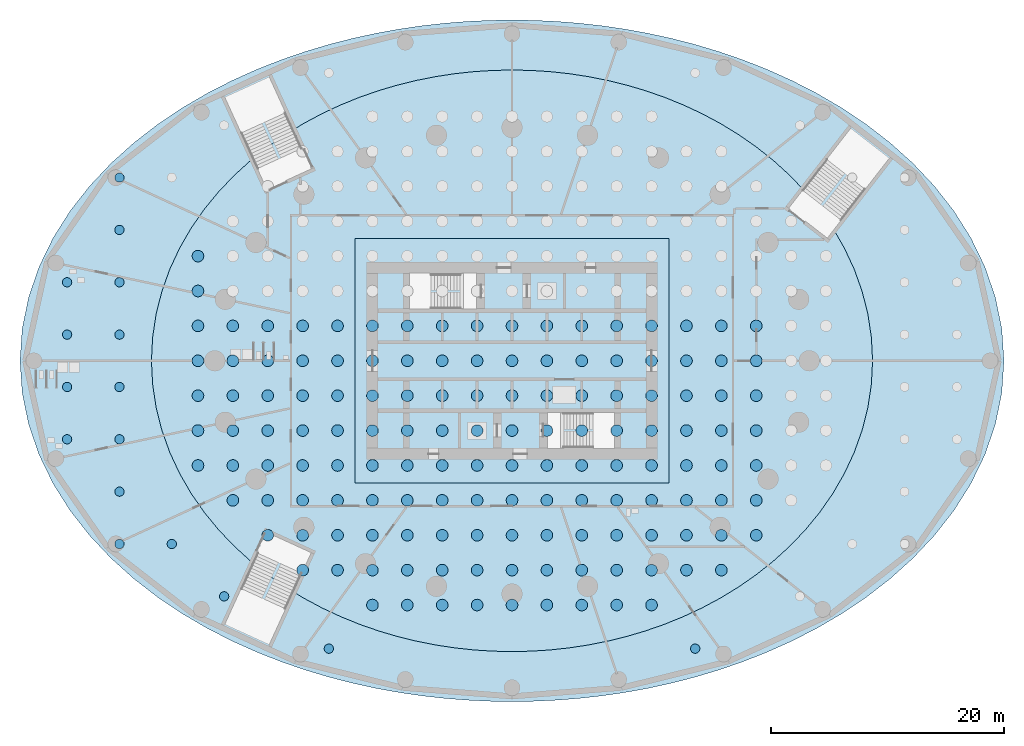
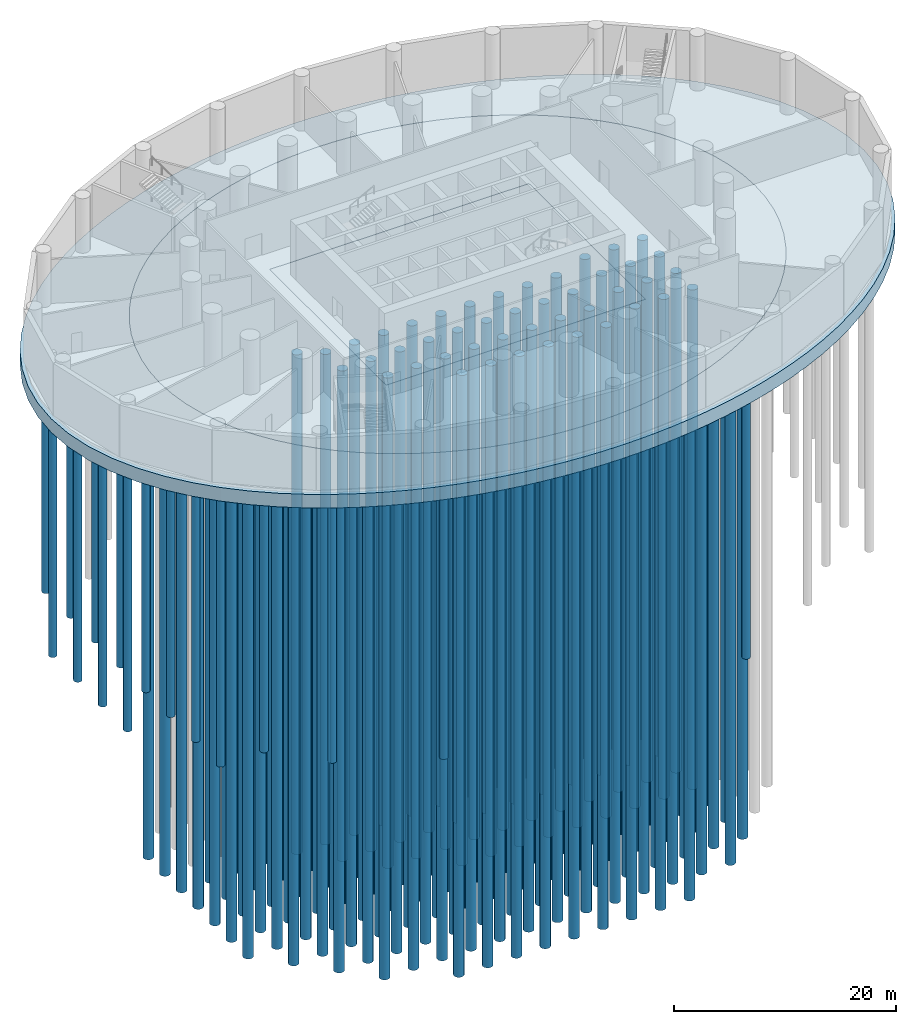
# One storey, part 1 of 12: 156 piles, 3 footings.
"""IFC4 building model written with IfcOpenShell, lengths in metres."""

from ifc_helpers import new_model, si_unit, direction, frame, origin, origin_2d, place, context, subcontext, project, spatial, polyline, circle, outline, extrude, material, layer, layer_set, material_profile, profile_set, type_object, element, save


model = new_model("IFC4")

# Units and contexts
model_context = context("Model", 3, precision=1e-05, world=origin(), true_north=direction((0.0, 1.0)))
body_context = subcontext(model_context, "Body", "Model", "MODEL_VIEW")
ifc_project = project(units=[si_unit("LENGTHUNIT", "METRE"), si_unit("AREAUNIT", "SQUARE_METRE"), si_unit("VOLUMEUNIT", "CUBIC_METRE"), si_unit("PLANEANGLEUNIT", "RADIAN"), si_unit("MASSUNIT", "GRAM", prefix="KILO")], contexts=[model_context])

# Site, building, storey
site_placement = place(None, origin())
site = spatial("IfcSite", under=ifc_project, at=site_placement, CompositionType="ELEMENT")
building_placement = place(site_placement, origin())
building = spatial("IfcBuilding", under=site, at=building_placement, Name="Hankou Lantern Tower", CompositionType="ELEMENT")
storey_placement = place(building_placement, frame((0.0, 0.0, -6.0)))
storey = spatial("IfcBuildingStorey", under=building, at=storey_placement, Name="B1", CompositionType="ELEMENT", Elevation=-6.0)

# Piles
ifc_material_1 = material(Name="Concrete C40", Category="concrete")
ifc_material_profile_1 = material_profile(ifc_material_1, circle(Radius=0.5, at=origin_2d()), Name="RC D1000")
ifc_profile_set_1 = profile_set([ifc_material_profile_1], Name="Concrete C40")
pile_type_1 = type_object("IfcPileType", Name="P1 BORED PILE D1000", PredefinedType="BORED", material=ifc_profile_set_1)
for number, where, z_axis, x_axis, name in (
    (1, (-12.0, -21.0, -4.300048828125), (0.0, 0.0, -1.0), (1.0, 0.0, 0.0), "Tower pile 1"),
    (2, (-9.0, -21.0, -4.300048828125), (0.0, 0.0, -1.0), (1.0, 0.0, 0.0), "Tower pile 2"),
    (3, (-6.0, -21.0, -4.300048828125), (0.0, 0.0, -1.0), (1.0, 0.0, 0.0), "Tower pile 3"),
    (4, (-3.0, -21.0, -4.300048828125), (0.0, 0.0, -1.0), (1.0, 0.0, 0.0), "Tower pile 4"),
    (5, (0.0, -21.0, -4.300048828125), (0.0, 0.0, -1.0), (1.0, 0.0, 0.0), "Tower pile 5"),
    (6, (3.0, -21.0, -4.300048828125), (0.0, 0.0, -1.0), (1.0, 0.0, 0.0), "Tower pile 6"),
    (7, (6.0, -21.0, -4.300048828125), (0.0, 0.0, -1.0), (1.0, 0.0, 0.0), "Tower pile 7"),
    (8, (9.0, -21.0, -4.300048828125), (0.0, 0.0, -1.0), (1.0, 0.0, 0.0), "Tower pile 8"),
    (9, (12.0, -21.0, -4.300048828125), (0.0, 0.0, -1.0), (1.0, 0.0, 0.0), "Tower pile 9"),
    (10, (-18.0, -18.0, -4.300048828125), (0.0, 0.0, -1.0), (1.0, 0.0, 0.0), "Tower pile 10"),
    (11, (-15.0, -18.0, -4.300048828125), (0.0, 0.0, -1.0), (1.0, 0.0, 0.0), "Tower pile 11"),
    (12, (-12.0, -18.0, -4.300048828125), (0.0, 0.0, -1.0), (1.0, 0.0, 0.0), "Tower pile 12"),
    (13, (-9.0, -18.0, -4.300048828125), (0.0, 0.0, -1.0), (1.0, 0.0, 0.0), "Tower pile 13"),
    (14, (-6.0, -18.0, -4.300048828125), (0.0, 0.0, -1.0), (1.0, 0.0, 0.0), "Tower pile 14"),
    (15, (-3.0, -18.0, -4.300048828125), (0.0, 0.0, -1.0), (1.0, 0.0, 0.0), "Tower pile 15"),
    (16, (0.0, -18.0, -4.300048828125), (0.0, 0.0, -1.0), (1.0, 0.0, 0.0), "Tower pile 16"),
    (17, (3.0, -18.0, -4.300048828125), (0.0, 0.0, -1.0), (1.0, 0.0, 0.0), "Tower pile 17"),
    (18, (6.0, -18.0, -4.300048828125), (0.0, 0.0, -1.0), (1.0, 0.0, 0.0), "Tower pile 18"),
    (19, (9.0, -18.0, -4.300048828125), (0.0, 0.0, -1.0), (1.0, 0.0, 0.0), "Tower pile 19"),
    (20, (12.0, -18.0, -4.300048828125), (0.0, 0.0, -1.0), (1.0, 0.0, 0.0), "Tower pile 20"),
    (21, (15.0, -18.0, -4.300048828125), (0.0, 0.0, -1.0), (1.0, 0.0, 0.0), "Tower pile 21"),
    (22, (18.0, -18.0, -4.300048828125), (0.0, 0.0, -1.0), (1.0, 0.0, 0.0), "Tower pile 22"),
    (23, (-21.0, -15.0, -4.300048828125), (0.0, 0.0, -1.0), (1.0, 0.0, 0.0), "Tower pile 23"),
    (24, (-18.0, -15.0, -4.300048828125), (0.0, 0.0, -1.0), (1.0, 0.0, 0.0), "Tower pile 24"),
    (25, (-15.0, -15.0, -4.300048828125), (0.0, 0.0, -1.0), (1.0, 0.0, 0.0), "Tower pile 25"),
    (26, (-12.0, -15.0, -4.300048828125), (0.0, 0.0, -1.0), (1.0, 0.0, 0.0), "Tower pile 26"),
    (27, (-9.0, -15.0, -4.300048828125), (0.0, 0.0, -1.0), (1.0, 0.0, 0.0), "Tower pile 27"),
    (28, (-6.0, -15.0, -4.300048828125), (0.0, 0.0, -1.0), (1.0, 0.0, 0.0), "Tower pile 28"),
    (29, (-3.0, -15.0, -4.300048828125), (0.0, 0.0, -1.0), (1.0, 0.0, 0.0), "Tower pile 29"),
    (30, (0.0, -15.0, -4.300048828125), (0.0, 0.0, -1.0), (1.0, 0.0, 0.0), "Tower pile 30"),
    (31, (3.0, -15.0, -4.300048828125), (0.0, 0.0, -1.0), (1.0, 0.0, 0.0), "Tower pile 31"),
    (32, (6.0, -15.0, -4.300048828125), (0.0, 0.0, -1.0), (1.0, 0.0, 0.0), "Tower pile 32"),
    (33, (9.0, -15.0, -4.300048828125), (0.0, 0.0, -1.0), (1.0, 0.0, 0.0), "Tower pile 33"),
    (34, (12.0, -15.0, -4.300048828125), (0.0, 0.0, -1.0), (1.0, 0.0, 0.0), "Tower pile 34"),
    (35, (15.0, -15.0, -4.300048828125), (0.0, 0.0, -1.0), (1.0, 0.0, 0.0), "Tower pile 35"),
    (36, (18.0, -15.0, -4.300048828125), (0.0, 0.0, -1.0), (1.0, 0.0, 0.0), "Tower pile 36"),
    (37, (21.0, -15.0, -4.300048828125), (0.0, 0.0, -1.0), (1.0, 0.0, 0.0), "Tower pile 37"),
    (38, (-24.0, -12.0, -4.300048828125), (0.0, 0.0, -1.0), (1.0, 0.0, 0.0), "Tower pile 38"),
    (39, (-21.0, -12.0, -4.300048828125), (0.0, 0.0, -1.0), (1.0, 0.0, 0.0), "Tower pile 39"),
    (40, (-18.0, -12.0, -4.300048828125), (0.0, 0.0, -1.0), (1.0, 0.0, 0.0), "Tower pile 40"),
    (41, (-15.0, -12.0, -4.300048828125), (0.0, 0.0, -1.0), (1.0, 0.0, 0.0), "Tower pile 41"),
    (42, (-12.0, -12.0, -4.300048828125), (0.0, 0.0, -1.0), (1.0, 0.0, 0.0), "Tower pile 42"),
    (43, (-9.0, -12.0, -4.300048828125), (0.0, 0.0, -1.0), (1.0, 0.0, 0.0), "Tower pile 43"),
    (44, (-6.0, -12.0, -4.300048828125), (0.0, 0.0, -1.0), (1.0, 0.0, 0.0), "Tower pile 44"),
    (45, (-3.0, -12.0, -4.300048828125), (0.0, 0.0, -1.0), (1.0, 0.0, 0.0), "Tower pile 45"),
    (46, (0.0, -12.0, -4.300048828125), (0.0, 0.0, -1.0), (1.0, 0.0, 0.0), "Tower pile 46"),
    (47, (3.0, -12.0, -4.300048828125), (0.0, 0.0, -1.0), (1.0, 0.0, 0.0), "Tower pile 47"),
    (48, (6.0, -12.0, -4.300048828125), (0.0, 0.0, -1.0), (1.0, 0.0, 0.0), "Tower pile 48"),
    (49, (9.0, -12.0, -4.300048828125), (0.0, 0.0, -1.0), (1.0, 0.0, 0.0), "Tower pile 49"),
    (50, (12.0, -12.0, -4.300048828125), (0.0, 0.0, -1.0), (1.0, 0.0, 0.0), "Tower pile 50"),
    (51, (15.0, -12.0, -4.300048828125), (0.0, 0.0, -1.0), (1.0, 0.0, 0.0), "Tower pile 51"),
    (52, (18.0, -12.0, -4.300048828125), (0.0, 0.0, -1.0), (1.0, 0.0, 0.0), "Tower pile 52"),
    (53, (21.0, -12.0, -4.300048828125), (0.0, 0.0, -1.0), (1.0, 0.0, 0.0), "Tower pile 53"),
    (54, (-27.0, -9.0, -4.300048828125), (0.0, 0.0, -1.0), (1.0, 0.0, 0.0), "Tower pile 55"),
    (55, (-24.0, -9.0, -4.300048828125), (0.0, 0.0, -1.0), (1.0, 0.0, 0.0), "Tower pile 56"),
    (56, (-21.0, -9.0, -4.300048828125), (0.0, 0.0, -1.0), (1.0, 0.0, 0.0), "Tower pile 57"),
    (57, (-18.0, -9.0, -4.300048828125), (0.0, 0.0, -1.0), (1.0, 0.0, 0.0), "Tower pile 58"),
    (58, (-15.0, -9.0, -4.300048828125), (0.0, 0.0, -1.0), (1.0, 0.0, 0.0), "Tower pile 59"),
):
    element("IfcPile", number, at=place(storey_placement, frame(where, z_axis=z_axis, x_axis=x_axis)), inside=storey, type_object=pile_type_1, Name=name, PredefinedType="BORED", context=body_context, shape_type="SweptSolid", body=[
        extrude(circle(Radius=0.5, at=origin_2d()), origin(), (0.0, 0.0, 1.0), 55.0),
    ])
for number, where, z_axis, x_axis, name in (
    (59, (-12.0, -9.0, -5.300048828125), (0.0, 0.0, -1.0), (1.0, 0.0, 0.0), "Tower pile 60"),
    (60, (-9.0, -9.0, -5.300048828125), (0.0, 0.0, -1.0), (1.0, 0.0, 0.0), "Tower pile 61"),
    (61, (-6.0, -9.0, -5.300048828125), (0.0, 0.0, -1.0), (1.0, 0.0, 0.0), "Tower pile 62"),
    (62, (-3.0, -9.0, -5.300048828125), (0.0, 0.0, -1.0), (1.0, 0.0, 0.0), "Tower pile 63"),
    (63, (0.0, -9.0, -5.300048828125), (0.0, 0.0, -1.0), (1.0, 0.0, 0.0), "Tower pile 64"),
    (64, (3.0, -9.0, -5.300048828125), (0.0, 0.0, -1.0), (1.0, 0.0, 0.0), "Tower pile 65"),
    (65, (6.0, -9.0, -5.300048828125), (0.0, 0.0, -1.0), (1.0, 0.0, 0.0), "Tower pile 66"),
    (66, (9.0, -9.0, -5.300048828125), (0.0, 0.0, -1.0), (1.0, 0.0, 0.0), "Tower pile 67"),
    (67, (12.0, -9.0, -5.300048828125), (0.0, 0.0, -1.0), (1.0, 0.0, 0.0), "Tower pile 68"),
):
    element("IfcPile", number, at=place(storey_placement, frame(where, z_axis=z_axis, x_axis=x_axis)), inside=storey, type_object=pile_type_1, Name=name, PredefinedType="BORED", context=body_context, shape_type="SweptSolid", body=[
        extrude(circle(Radius=0.5, at=origin_2d()), origin(), (0.0, 0.0, 1.0), 54.0),
    ])
for number, where, z_axis, x_axis, name in (
    (68, (15.0, -9.0, -4.300048828125), (0.0, 0.0, -1.0), (1.0, 0.0, 0.0), "Tower pile 69"),
    (69, (18.0, -9.0, -4.300048828125), (0.0, 0.0, -1.0), (1.0, 0.0, 0.0), "Tower pile 70"),
    (70, (21.0, -9.0, -4.300048828125), (0.0, 0.0, -1.0), (1.0, 0.0, 0.0), "Tower pile 71"),
    (71, (-27.0, -6.0, -4.300048828125), (0.0, 0.0, -1.0), (1.0, 0.0, 0.0), "Tower pile 74"),
    (72, (-24.0, -6.0, -4.300048828125), (0.0, 0.0, -1.0), (1.0, 0.0, 0.0), "Tower pile 75"),
    (73, (-21.0, -6.0, -4.300048828125), (0.0, 0.0, -1.0), (1.0, 0.0, 0.0), "Tower pile 76"),
    (74, (-18.0, -6.0, -4.300048828125), (0.0, 0.0, -1.0), (1.0, 0.0, 0.0), "Tower pile 77"),
    (75, (-15.0, -6.0, -4.300048828125), (0.0, 0.0, -1.0), (1.0, 0.0, 0.0), "Tower pile 78"),
):
    element("IfcPile", number, at=place(storey_placement, frame(where, z_axis=z_axis, x_axis=x_axis)), inside=storey, type_object=pile_type_1, Name=name, PredefinedType="BORED", context=body_context, shape_type="SweptSolid", body=[
        extrude(circle(Radius=0.5, at=origin_2d()), origin(), (0.0, 0.0, 1.0), 55.0),
    ])
for number, where, z_axis, x_axis, name in (
    (76, (-12.0, -6.0, -5.300048828125), (0.0, 0.0, -1.0), (1.0, 0.0, 0.0), "Tower pile 79"),
    (77, (-9.0, -6.0, -5.300048828125), (0.0, 0.0, -1.0), (1.0, 0.0, 0.0), "Tower pile 80"),
    (78, (-6.0, -6.0, -5.300048828125), (0.0, 0.0, -1.0), (1.0, 0.0, 0.0), "Tower pile 81"),
    (79, (-3.0, -6.0, -5.300048828125), (0.0, 0.0, -1.0), (1.0, 0.0, 0.0), "Tower pile 82"),
    (80, (0.0, -6.0, -5.300048828125), (0.0, 0.0, -1.0), (1.0, 0.0, 0.0), "Tower pile 83"),
    (81, (3.0, -6.0, -5.300048828125), (0.0, 0.0, -1.0), (1.0, 0.0, 0.0), "Tower pile 84"),
    (82, (6.0, -6.0, -5.300048828125), (0.0, 0.0, -1.0), (1.0, 0.0, 0.0), "Tower pile 85"),
    (83, (9.0, -6.0, -5.300048828125), (0.0, 0.0, -1.0), (1.0, 0.0, 0.0), "Tower pile 86"),
    (84, (12.0, -6.0, -5.300048828125), (0.0, 0.0, -1.0), (1.0, 0.0, 0.0), "Tower pile 87"),
):
    element("IfcPile", number, at=place(storey_placement, frame(where, z_axis=z_axis, x_axis=x_axis)), inside=storey, type_object=pile_type_1, Name=name, PredefinedType="BORED", context=body_context, shape_type="SweptSolid", body=[
        extrude(circle(Radius=0.5, at=origin_2d()), origin(), (0.0, 0.0, 1.0), 54.0),
    ])
for number, where, z_axis, x_axis, name in (
    (85, (15.0, -6.0, -4.300048828125), (0.0, 0.0, -1.0), (1.0, 0.0, 0.0), "Tower pile 88"),
    (86, (18.0, -6.0, -4.300048828125), (0.0, 0.0, -1.0), (1.0, 0.0, 0.0), "Tower pile 89"),
    (87, (21.0, -6.0, -4.300048828125), (0.0, 0.0, -1.0), (1.0, 0.0, 0.0), "Tower pile 90"),
    (88, (-27.0, -3.0, -4.300048828125), (0.0, 0.0, -1.0), (1.0, 0.0, 0.0), "Tower pile 93"),
    (89, (-24.0, -3.0, -4.300048828125), (0.0, 0.0, -1.0), (1.0, 0.0, 0.0), "Tower pile 94"),
    (90, (-21.0, -3.0, -4.300048828125), (0.0, 0.0, -1.0), (1.0, 0.0, 0.0), "Tower pile 95"),
    (91, (-18.0, -3.0, -4.300048828125), (0.0, 0.0, -1.0), (1.0, 0.0, 0.0), "Tower pile 96"),
    (92, (-15.0, -3.0, -4.300048828125), (0.0, 0.0, -1.0), (1.0, 0.0, 0.0), "Tower pile 97"),
):
    element("IfcPile", number, at=place(storey_placement, frame(where, z_axis=z_axis, x_axis=x_axis)), inside=storey, type_object=pile_type_1, Name=name, PredefinedType="BORED", context=body_context, shape_type="SweptSolid", body=[
        extrude(circle(Radius=0.5, at=origin_2d()), origin(), (0.0, 0.0, 1.0), 55.0),
    ])
for number, where, z_axis, x_axis, name in (
    (93, (-12.0, -3.0, -5.300048828125), (0.0, 0.0, -1.0), (1.0, 0.0, 0.0), "Tower pile 98"),
    (94, (-9.0, -3.0, -5.300048828125), (0.0, 0.0, -1.0), (1.0, 0.0, 0.0), "Tower pile 99"),
    (95, (-6.0, -3.0, -5.300048828125), (0.0, 0.0, -1.0), (1.0, 0.0, 0.0), "Tower pile 100"),
    (96, (-3.0, -3.0, -5.300048828125), (0.0, 0.0, -1.0), (1.0, 0.0, 0.0), "Tower pile 101"),
    (97, (0.0, -3.0, -5.300048828125), (0.0, 0.0, -1.0), (1.0, 0.0, 0.0), "Tower pile 102"),
    (98, (3.0, -3.0, -5.300048828125), (0.0, 0.0, -1.0), (1.0, 0.0, 0.0), "Tower pile 103"),
    (99, (6.0, -3.0, -5.300048828125), (0.0, 0.0, -1.0), (1.0, 0.0, 0.0), "Tower pile 104"),
    (100, (9.0, -3.0, -5.300048828125), (0.0, 0.0, -1.0), (1.0, 0.0, 0.0), "Tower pile 105"),
    (101, (12.0, -3.0, -5.300048828125), (0.0, 0.0, -1.0), (1.0, 0.0, 0.0), "Tower pile 106"),
):
    element("IfcPile", number, at=place(storey_placement, frame(where, z_axis=z_axis, x_axis=x_axis)), inside=storey, type_object=pile_type_1, Name=name, PredefinedType="BORED", context=body_context, shape_type="SweptSolid", body=[
        extrude(circle(Radius=0.5, at=origin_2d()), origin(), (0.0, 0.0, 1.0), 54.0),
    ])
for number, where, z_axis, x_axis, name in (
    (102, (15.0, -3.0, -4.300048828125), (0.0, 0.0, -1.0), (1.0, 0.0, 0.0), "Tower pile 107"),
    (103, (18.0, -3.0, -4.300048828125), (0.0, 0.0, -1.0), (1.0, 0.0, 0.0), "Tower pile 108"),
    (104, (21.0, -3.0, -4.300048828125), (0.0, 0.0, -1.0), (1.0, 0.0, 0.0), "Tower pile 109"),
    (105, (-27.0, 0.0, -4.300048828125), (0.0, 0.0, -1.0), (1.0, 0.0, 0.0), "Tower pile 112"),
    (106, (-24.0, 0.0, -4.300048828125), (0.0, 0.0, -1.0), (1.0, 0.0, 0.0), "Tower pile 113"),
    (107, (-21.0, 0.0, -4.300048828125), (0.0, 0.0, -1.0), (1.0, 0.0, 0.0), "Tower pile 114"),
    (108, (-18.0, 0.0, -4.300048828125), (0.0, 0.0, -1.0), (1.0, 0.0, 0.0), "Tower pile 115"),
    (109, (-15.0, 0.0, -4.300048828125), (0.0, 0.0, -1.0), (1.0, 0.0, 0.0), "Tower pile 116"),
):
    element("IfcPile", number, at=place(storey_placement, frame(where, z_axis=z_axis, x_axis=x_axis)), inside=storey, type_object=pile_type_1, Name=name, PredefinedType="BORED", context=body_context, shape_type="SweptSolid", body=[
        extrude(circle(Radius=0.5, at=origin_2d()), origin(), (0.0, 0.0, 1.0), 55.0),
    ])
for number, where, z_axis, x_axis, name in (
    (110, (-12.0, 0.0, -5.300048828125), (0.0, 0.0, -1.0), (1.0, 0.0, 0.0), "Tower pile 117"),
    (111, (-9.0, 0.0, -5.300048828125), (0.0, 0.0, -1.0), (1.0, 0.0, 0.0), "Tower pile 118"),
    (112, (-6.0, 0.0, -5.300048828125), (0.0, 0.0, -1.0), (1.0, 0.0, 0.0), "Tower pile 119"),
    (113, (-3.0, 0.0, -5.300048828125), (0.0, 0.0, -1.0), (1.0, 0.0, 0.0), "Tower pile 120"),
    (114, (0.0, 0.0, -5.300048828125), (0.0, 0.0, -1.0), (1.0, 0.0, 0.0), "Tower pile 121"),
    (115, (3.0, 0.0, -5.300048828125), (0.0, 0.0, -1.0), (1.0, 0.0, 0.0), "Tower pile 122"),
    (116, (6.0, 0.0, -5.300048828125), (0.0, 0.0, -1.0), (1.0, 0.0, 0.0), "Tower pile 123"),
    (117, (9.0, 0.0, -5.300048828125), (0.0, 0.0, -1.0), (1.0, 0.0, 0.0), "Tower pile 124"),
    (118, (12.0, 0.0, -5.300048828125), (0.0, 0.0, -1.0), (1.0, 0.0, 0.0), "Tower pile 125"),
):
    element("IfcPile", number, at=place(storey_placement, frame(where, z_axis=z_axis, x_axis=x_axis)), inside=storey, type_object=pile_type_1, Name=name, PredefinedType="BORED", context=body_context, shape_type="SweptSolid", body=[
        extrude(circle(Radius=0.5, at=origin_2d()), origin(), (0.0, 0.0, 1.0), 54.0),
    ])
for number, where, z_axis, x_axis, name in (
    (119, (15.0, 0.0, -4.300048828125), (0.0, 0.0, -1.0), (1.0, 0.0, 0.0), "Tower pile 126"),
    (120, (18.0, 0.0, -4.300048828125), (0.0, 0.0, -1.0), (1.0, 0.0, 0.0), "Tower pile 127"),
    (121, (21.0, 0.0, -4.300048828125), (0.0, 0.0, -1.0), (1.0, 0.0, 0.0), "Tower pile 128"),
    (122, (-27.0, 3.0, -4.300048828125), (0.0, 0.0, -1.0), (1.0, 0.0, 0.0), "Tower pile 131"),
    (123, (-24.0, 3.0, -4.300048828125), (0.0, 0.0, -1.0), (1.0, 0.0, 0.0), "Tower pile 132"),
    (124, (-21.0, 3.0, -4.300048828125), (0.0, 0.0, -1.0), (1.0, 0.0, 0.0), "Tower pile 133"),
    (125, (-18.0, 3.0, -4.300048828125), (0.0, 0.0, -1.0), (1.0, 0.0, 0.0), "Tower pile 134"),
    (126, (-15.0, 3.0, -4.300048828125), (0.0, 0.0, -1.0), (1.0, 0.0, 0.0), "Tower pile 135"),
):
    element("IfcPile", number, at=place(storey_placement, frame(where, z_axis=z_axis, x_axis=x_axis)), inside=storey, type_object=pile_type_1, Name=name, PredefinedType="BORED", context=body_context, shape_type="SweptSolid", body=[
        extrude(circle(Radius=0.5, at=origin_2d()), origin(), (0.0, 0.0, 1.0), 55.0),
    ])
for number, where, z_axis, x_axis, name in (
    (127, (-12.0, 3.0, -5.300048828125), (0.0, 0.0, -1.0), (1.0, 0.0, 0.0), "Tower pile 136"),
    (128, (-9.0, 3.0, -5.300048828125), (0.0, 0.0, -1.0), (1.0, 0.0, 0.0), "Tower pile 137"),
    (129, (-6.0, 3.0, -5.300048828125), (0.0, 0.0, -1.0), (1.0, 0.0, 0.0), "Tower pile 138"),
    (130, (-3.0, 3.0, -5.300048828125), (0.0, 0.0, -1.0), (1.0, 0.0, 0.0), "Tower pile 139"),
    (131, (0.0, 3.0, -5.300048828125), (0.0, 0.0, -1.0), (1.0, 0.0, 0.0), "Tower pile 140"),
    (132, (3.0, 3.0, -5.300048828125), (0.0, 0.0, -1.0), (1.0, 0.0, 0.0), "Tower pile 141"),
    (133, (6.0, 3.0, -5.300048828125), (0.0, 0.0, -1.0), (1.0, 0.0, 0.0), "Tower pile 142"),
    (134, (9.0, 3.0, -5.300048828125), (0.0, 0.0, -1.0), (1.0, 0.0, 0.0), "Tower pile 143"),
    (135, (12.0, 3.0, -5.300048828125), (0.0, 0.0, -1.0), (1.0, 0.0, 0.0), "Tower pile 144"),
):
    element("IfcPile", number, at=place(storey_placement, frame(where, z_axis=z_axis, x_axis=x_axis)), inside=storey, type_object=pile_type_1, Name=name, PredefinedType="BORED", context=body_context, shape_type="SweptSolid", body=[
        extrude(circle(Radius=0.5, at=origin_2d()), origin(), (0.0, 0.0, 1.0), 54.0),
    ])
for number, where, z_axis, x_axis, name in (
    (136, (15.0, 3.0, -4.300048828125), (0.0, 0.0, -1.0), (1.0, 0.0, 0.0), "Tower pile 145"),
    (137, (18.0, 3.0, -4.300048828125), (0.0, 0.0, -1.0), (1.0, 0.0, 0.0), "Tower pile 146"),
    (138, (21.0, 3.0, -4.300048828125), (0.0, 0.0, -1.0), (1.0, 0.0, 0.0), "Tower pile 147"),
    (139, (-27.0, 6.0, -4.300048828125), (0.0, 0.0, -1.0), (1.0, 0.0, 0.0), "Tower pile 150"),
    (140, (-27.0, 9.0, -4.300048828125), (0.0, 0.0, -1.0), (1.0, 0.0, 0.0), "Tower pile 169"),
):
    element("IfcPile", number, at=place(storey_placement, frame(where, z_axis=z_axis, x_axis=x_axis)), inside=storey, type_object=pile_type_1, Name=name, PredefinedType="BORED", context=body_context, shape_type="SweptSolid", body=[
        extrude(circle(Radius=0.5, at=origin_2d()), origin(), (0.0, 0.0, 1.0), 55.0),
    ])
ifc_material_2 = material(Name="Concrete C40", Category="concrete")
ifc_material_profile_2 = material_profile(ifc_material_2, circle(Radius=0.39990234375, at=origin_2d()), Name="RC D800")
ifc_profile_set_2 = profile_set([ifc_material_profile_2], Name="Concrete C40")
pile_type_2 = type_object("IfcPileType", Name="P2 BORED PILE D800", PredefinedType="BORED", material=ifc_profile_set_2)
for number, where, z_axis, x_axis, name in (
    (141, (-15.75, -24.75, -1.800048828125), (0.0, 0.0, -1.0), (1.0, 0.0, 0.0), "Podium pile 1"),
    (142, (15.75, -24.75, -1.800048828125), (0.0, 0.0, -1.0), (1.0, 0.0, 0.0), "Podium pile 2"),
    (143, (-24.75, -20.25, -1.800048828125), (0.0, 0.0, -1.0), (1.0, 0.0, 0.0), "Podium pile 3"),
    (144, (-33.75, -15.75, -1.800048828125), (0.0, 0.0, -1.0), (1.0, 0.0, 0.0), "Podium pile 5"),
    (145, (-29.25, -15.75, -1.800048828125), (0.0, 0.0, -1.0), (1.0, 0.0, 0.0), "Podium pile 6"),
    (146, (-33.75, -11.25, -1.800048828125), (0.0, 0.0, -1.0), (1.0, 0.0, 0.0), "Podium pile 9"),
    (147, (-38.25, -6.75, -1.800048828125), (0.0, 0.0, -1.0), (1.0, 0.0, 0.0), "Podium pile 11"),
    (148, (-33.75, -6.75, -1.800048828125), (0.0, 0.0, -1.0), (1.0, 0.0, 0.0), "Podium pile 12"),
    (149, (-38.25, -2.25, -1.800048828125), (0.0, 0.0, -1.0), (1.0, 0.0, 0.0), "Podium pile 15"),
    (150, (-33.75, -2.25, -1.800048828125), (0.0, 0.0, -1.0), (1.0, 0.0, 0.0), "Podium pile 16"),
    (151, (-38.25, 2.25, -1.800048828125), (0.0, 0.0, -1.0), (1.0, 0.0, 0.0), "Podium pile 19"),
    (152, (-33.75, 2.25, -1.800048828125), (0.0, 0.0, -1.0), (1.0, 0.0, 0.0), "Podium pile 20"),
    (153, (-38.25, 6.75, -1.800048828125), (0.0, 0.0, -1.0), (1.0, 0.0, 0.0), "Podium pile 23"),
    (154, (-33.75, 6.75, -1.800048828125), (0.0, 0.0, -1.0), (1.0, 0.0, 0.0), "Podium pile 24"),
    (155, (-33.75, 11.25, -1.800048828125), (0.0, 0.0, -1.0), (1.0, 0.0, 0.0), "Podium pile 27"),
    (156, (-33.75, 15.75, -1.800048828125), (0.0, 0.0, -1.0), (1.0, 0.0, 0.0), "Podium pile 29"),
):
    element("IfcPile", number, at=place(storey_placement, frame(where, z_axis=z_axis, x_axis=x_axis)), inside=storey, type_object=pile_type_2, Name=name, PredefinedType="BORED", context=body_context, shape_type="SweptSolid", body=[
        extrude(circle(Radius=0.39990234375, at=origin_2d()), origin(), (0.0, 0.0, 1.0), 30.0),
    ])

# Footings
ifc_material_3 = material(Name="Concrete C50", Category="concrete")
ifc_layer_1 = layer(ifc_material_3, 5.0)
ifc_layer_set_1 = layer_set([ifc_layer_1], Name="Concrete C50")
footing_type_1 = type_object("IfcFootingType", Name="RF0 CORE PILED RAFT 5000", PredefinedType="PILE_CAP", material=ifc_layer_set_1)
footing_1_placement = place(storey_placement, frame((0.0, 0.0, -5.300048828125)))
element("IfcFooting", 157, at=footing_1_placement, inside=storey, type_object=footing_type_1, Name="Core piled raft", PredefinedType="PILE_CAP", context=body_context, shape_type="SweptSolid", body=[
    extrude(outline(polyline([(-13.5, -10.5), (13.5, -10.5), (13.5, 10.5), (-13.5, 10.5), (-13.5, -10.5)])), origin(), (0.0, 0.0, 1.0), 5.0),
])
ifc_material_4 = material(Name="Concrete C50", Category="concrete")
ifc_layer_2 = layer(ifc_material_4, 4.0)
ifc_layer_set_2 = layer_set([ifc_layer_2], Name="Concrete C50")
footing_type_2 = type_object("IfcFootingType", Name="RF1 TOWER PILED RAFT 4000", PredefinedType="PILE_CAP", material=ifc_layer_set_2)
footing_2_placement = place(storey_placement, frame((0.0, 0.0, -4.300048828125)))
element("IfcFooting", 158, at=footing_2_placement, inside=storey, type_object=footing_type_2, Name="Tower piled raft", PredefinedType="PILE_CAP", context=body_context, shape_type="SweptSolid", body=[
    extrude(outline(polyline([(31.0, 0.0), (30.898193359375, 2.025146484375), (30.594970703125, 4.02783203125), (30.097900390625, 5.98681640625), (29.418701171875, 7.8828125), (28.572021484375, 9.698974609375), (27.575439453125, 11.422119140625), (26.447265625, 13.042236328125), (25.206298828125, 14.552978515625), (23.87109375, 15.9501953125), (22.458251953125, 17.23291015625), (20.983642578125, 18.402099609375), (19.460205078125, 19.460205078125), (17.900146484375, 20.4111328125), (16.3125, 21.2587890625), (14.705322265625, 22.008056640625), (13.0849609375, 22.663818359375), (11.455810546875, 23.230224609375), (9.82177734375, 23.7119140625), (8.185302734375, 24.11279296875), (6.547607421875, 24.43603515625), (4.91015625, 24.684326171875), (3.27294921875, 24.8603515625), (1.63623046875, 24.965087890625), (0.0, 25.0), (-1.63623046875, 24.965087890625), (-3.27294921875, 24.8603515625), (-4.91015625, 24.684326171875), (-6.547607421875, 24.43603515625), (-8.185302734375, 24.11279296875), (-9.82177734375, 23.7119140625), (-11.455810546875, 23.230224609375), (-13.0849609375, 22.663818359375), (-14.705322265625, 22.008056640625), (-16.3125, 21.2587890625), (-17.900146484375, 20.4111328125), (-19.460205078125, 19.460205078125), (-20.983642578125, 18.402099609375), (-22.458251953125, 17.23291015625), (-23.87109375, 15.9501953125), (-25.206298828125, 14.552978515625), (-26.447265625, 13.042236328125), (-27.575439453125, 11.422119140625), (-28.572021484375, 9.698974609375), (-29.418701171875, 7.8828125), (-30.097900390625, 5.98681640625), (-30.594970703125, 4.02783203125), (-30.898193359375, 2.025146484375), (-31.0, 0.0), (-30.898193359375, -2.025146484375), (-30.594970703125, -4.02783203125), (-30.097900390625, -5.98681640625), (-29.418701171875, -7.8828125), (-28.572021484375, -9.698974609375), (-27.575439453125, -11.422119140625), (-26.447265625, -13.042236328125), (-25.206298828125, -14.552978515625), (-23.87109375, -15.9501953125), (-22.458251953125, -17.23291015625), (-20.983642578125, -18.402099609375), (-19.460205078125, -19.460205078125), (-17.900146484375, -20.4111328125), (-16.3125, -21.2587890625), (-14.705322265625, -22.008056640625), (-13.0849609375, -22.663818359375), (-11.455810546875, -23.230224609375), (-9.82177734375, -23.7119140625), (-8.185302734375, -24.11279296875), (-6.547607421875, -24.43603515625), (-4.91015625, -24.684326171875), (-3.27294921875, -24.8603515625), (-1.63623046875, -24.965087890625), (0.0, -25.0), (1.63623046875, -24.965087890625), (3.27294921875, -24.8603515625), (4.91015625, -24.684326171875), (6.547607421875, -24.43603515625), (8.185302734375, -24.11279296875), (9.82177734375, -23.7119140625), (11.455810546875, -23.230224609375), (13.0849609375, -22.663818359375), (14.705322265625, -22.008056640625), (16.3125, -21.2587890625), (17.900146484375, -20.4111328125), (19.460205078125, -19.460205078125), (20.983642578125, -18.402099609375), (22.458251953125, -17.23291015625), (23.87109375, -15.9501953125), (25.206298828125, -14.552978515625), (26.447265625, -13.042236328125), (27.575439453125, -11.422119140625), (28.572021484375, -9.698974609375), (29.418701171875, -7.8828125), (30.097900390625, -5.98681640625), (30.594970703125, -4.02783203125), (30.898193359375, -2.025146484375), (31.0, 0.0)]), holes=[polyline([(-13.5, 10.5), (13.5, 10.5), (13.5, -10.5), (-13.5, -10.5), (-13.5, 10.5)])]), origin(), (0.0, 0.0, 1.0), 4.0),
])
ifc_material_5 = material(Name="Concrete C50", Category="concrete")
ifc_layer_3 = layer(ifc_material_5, 1.5)
ifc_layer_set_3 = layer_set([ifc_layer_3], Name="Concrete C50")
footing_type_3 = type_object("IfcFootingType", Name="RF2 PODIUM PILED RAFT 1500", PredefinedType="PILE_CAP", material=ifc_layer_set_3)
footing_3_placement = place(storey_placement, frame((0.0, 0.0, -1.800048828125)))
element("IfcFooting", 159, at=footing_3_placement, inside=storey, type_object=footing_type_3, Name="Podium piled raft", PredefinedType="PILE_CAP", context=body_context, shape_type="SweptSolid", body=[
    extrude(outline(polyline([(42.300048828125, 0.0), (42.11181640625, 2.76025390625), (41.55615234375, 5.470947265625), (40.65673828125, 8.087158203125), (39.451171875, 10.57080078125), (37.98388671875, 12.893798828125), (36.303955078125, 15.03759765625), (34.458984375, 16.993408203125), (32.492919921875, 18.759765625), (30.444091796875, 20.342041015625), (28.34423828125, 21.749267578125), (26.218505859375, 22.992919921875), (24.086181640625, 24.086181640625), (21.961181640625, 25.041748046875), (19.852783203125, 25.87255859375), (17.766845703125, 26.590087890625), (15.70703125, 27.205078125), (13.67333984375, 27.72705078125), (11.665771484375, 28.163818359375), (9.681884765625, 28.522216796875), (7.718994140625, 28.80810546875), (5.773681640625, 29.02587890625), (3.841552734375, 29.178955078125), (1.91845703125, 29.269775390625), (0.0, 29.300048828125), (-1.91845703125, 29.269775390625), (-3.841552734375, 29.178955078125), (-5.773681640625, 29.02587890625), (-7.718994140625, 28.80810546875), (-9.681884765625, 28.522216796875), (-11.665771484375, 28.163818359375), (-13.67333984375, 27.72705078125), (-15.70703125, 27.205078125), (-17.766845703125, 26.590087890625), (-19.852783203125, 25.87255859375), (-21.961181640625, 25.041748046875), (-24.086181640625, 24.086181640625), (-26.218505859375, 22.992919921875), (-28.34423828125, 21.749267578125), (-30.444091796875, 20.342041015625), (-32.492919921875, 18.759765625), (-34.458984375, 16.993408203125), (-36.303955078125, 15.03759765625), (-37.98388671875, 12.893798828125), (-39.451171875, 10.57080078125), (-40.65673828125, 8.087158203125), (-41.55615234375, 5.470947265625), (-42.11181640625, 2.76025390625), (-42.300048828125, 0.0), (-42.11181640625, -2.76025390625), (-41.55615234375, -5.470947265625), (-40.65673828125, -8.087158203125), (-39.451171875, -10.57080078125), (-37.98388671875, -12.893798828125), (-36.303955078125, -15.03759765625), (-34.458984375, -16.993408203125), (-32.492919921875, -18.759765625), (-30.444091796875, -20.342041015625), (-28.34423828125, -21.749267578125), (-26.218505859375, -22.992919921875), (-24.086181640625, -24.086181640625), (-21.961181640625, -25.041748046875), (-19.852783203125, -25.87255859375), (-17.766845703125, -26.590087890625), (-15.70703125, -27.205078125), (-13.67333984375, -27.72705078125), (-11.665771484375, -28.163818359375), (-9.681884765625, -28.522216796875), (-7.718994140625, -28.80810546875), (-5.773681640625, -29.02587890625), (-3.841552734375, -29.178955078125), (-1.91845703125, -29.269775390625), (0.0, -29.300048828125), (1.91845703125, -29.269775390625), (3.841552734375, -29.178955078125), (5.773681640625, -29.02587890625), (7.718994140625, -28.80810546875), (9.681884765625, -28.522216796875), (11.665771484375, -28.163818359375), (13.67333984375, -27.72705078125), (15.70703125, -27.205078125), (17.766845703125, -26.590087890625), (19.852783203125, -25.87255859375), (21.961181640625, -25.041748046875), (24.086181640625, -24.086181640625), (26.218505859375, -22.992919921875), (28.34423828125, -21.749267578125), (30.444091796875, -20.342041015625), (32.492919921875, -18.759765625), (34.458984375, -16.993408203125), (36.303955078125, -15.03759765625), (37.98388671875, -12.893798828125), (39.451171875, -10.57080078125), (40.65673828125, -8.087158203125), (41.55615234375, -5.470947265625), (42.11181640625, -2.76025390625), (42.300048828125, 0.0)]), holes=[polyline([(30.898193359375, -2.025146484375), (30.594970703125, -4.02783203125), (30.097900390625, -5.98681640625), (29.418701171875, -7.8828125), (28.572021484375, -9.698974609375), (27.575439453125, -11.422119140625), (26.447265625, -13.042236328125), (25.206298828125, -14.552978515625), (23.87109375, -15.9501953125), (22.458251953125, -17.23291015625), (20.983642578125, -18.402099609375), (19.460205078125, -19.460205078125), (17.900146484375, -20.4111328125), (16.3125, -21.2587890625), (14.705322265625, -22.008056640625), (13.0849609375, -22.663818359375), (11.455810546875, -23.230224609375), (9.82177734375, -23.7119140625), (8.185302734375, -24.11279296875), (6.547607421875, -24.43603515625), (4.91015625, -24.684326171875), (3.27294921875, -24.8603515625), (1.63623046875, -24.965087890625), (0.0, -25.0), (-1.63623046875, -24.965087890625), (-3.27294921875, -24.8603515625), (-4.91015625, -24.684326171875), (-6.547607421875, -24.43603515625), (-8.185302734375, -24.11279296875), (-9.82177734375, -23.7119140625), (-11.455810546875, -23.230224609375), (-13.0849609375, -22.663818359375), (-14.705322265625, -22.008056640625), (-16.3125, -21.2587890625), (-17.900146484375, -20.4111328125), (-19.460205078125, -19.460205078125), (-20.983642578125, -18.402099609375), (-22.458251953125, -17.23291015625), (-23.87109375, -15.9501953125), (-25.206298828125, -14.552978515625), (-26.447265625, -13.042236328125), (-27.575439453125, -11.422119140625), (-28.572021484375, -9.698974609375), (-29.418701171875, -7.8828125), (-30.097900390625, -5.98681640625), (-30.594970703125, -4.02783203125), (-30.898193359375, -2.025146484375), (-31.0, 0.0), (-30.898193359375, 2.025146484375), (-30.594970703125, 4.02783203125), (-30.097900390625, 5.98681640625), (-29.418701171875, 7.8828125), (-28.572021484375, 9.698974609375), (-27.575439453125, 11.422119140625), (-26.447265625, 13.042236328125), (-25.206298828125, 14.552978515625), (-23.87109375, 15.9501953125), (-22.458251953125, 17.23291015625), (-20.983642578125, 18.402099609375), (-19.460205078125, 19.460205078125), (-17.900146484375, 20.4111328125), (-16.3125, 21.2587890625), (-14.705322265625, 22.008056640625), (-13.0849609375, 22.663818359375), (-11.455810546875, 23.230224609375), (-9.82177734375, 23.7119140625), (-8.185302734375, 24.11279296875), (-6.547607421875, 24.43603515625), (-4.91015625, 24.684326171875), (-3.27294921875, 24.8603515625), (-1.63623046875, 24.965087890625), (0.0, 25.0), (1.63623046875, 24.965087890625), (3.27294921875, 24.8603515625), (4.91015625, 24.684326171875), (6.547607421875, 24.43603515625), (8.185302734375, 24.11279296875), (9.82177734375, 23.7119140625), (11.455810546875, 23.230224609375), (13.0849609375, 22.663818359375), (14.705322265625, 22.008056640625), (16.3125, 21.2587890625), (17.900146484375, 20.4111328125), (19.460205078125, 19.460205078125), (20.983642578125, 18.402099609375), (22.458251953125, 17.23291015625), (23.87109375, 15.9501953125), (25.206298828125, 14.552978515625), (26.447265625, 13.042236328125), (27.575439453125, 11.422119140625), (28.572021484375, 9.698974609375), (29.418701171875, 7.8828125), (30.097900390625, 5.98681640625), (30.594970703125, 4.02783203125), (30.898193359375, 2.025146484375), (31.0, 0.0), (30.898193359375, -2.025146484375)])]), origin(), (0.0, 0.0, 1.0), 1.5),
])

save(model, "model.ifc")
